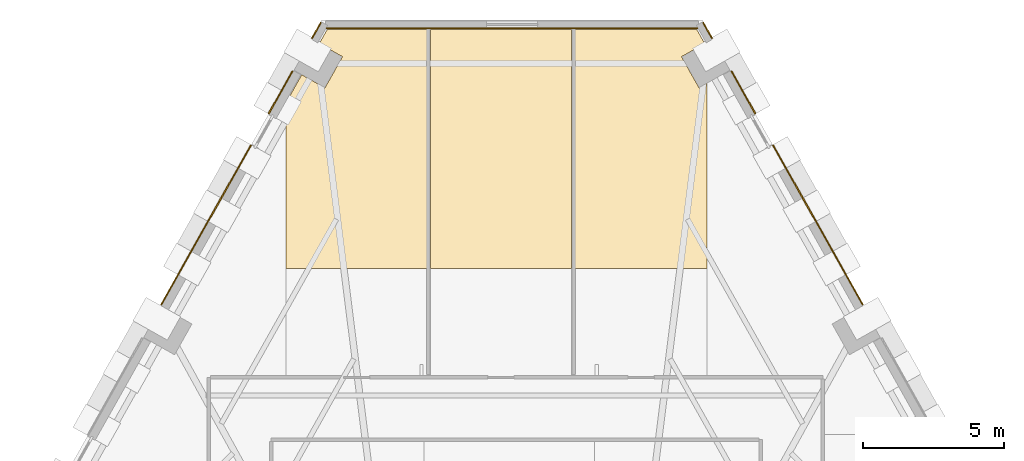
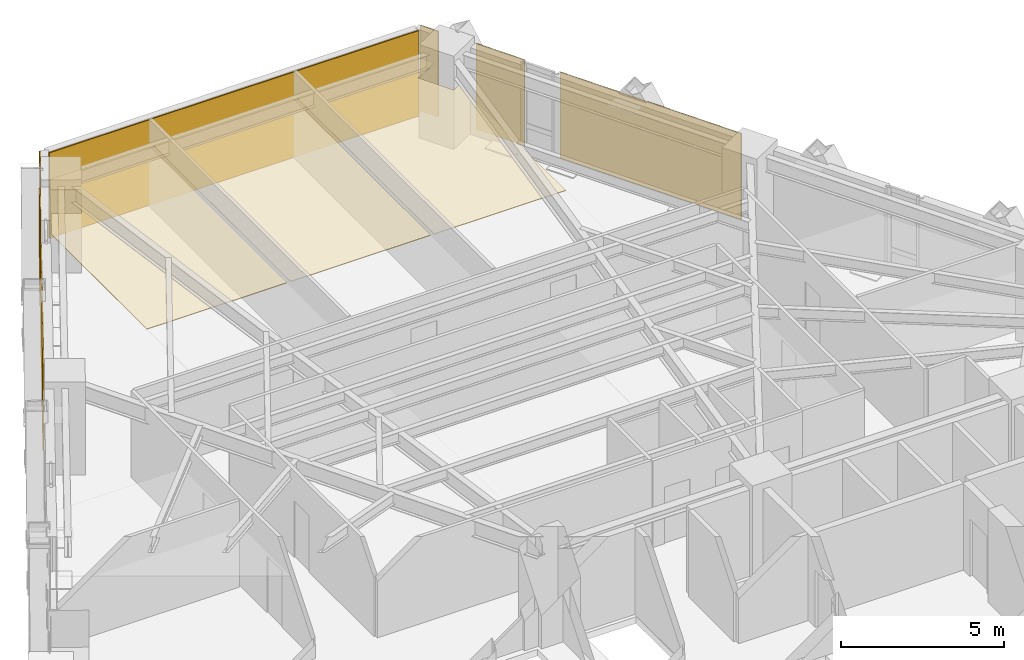
# One storey, part 13 of 13: 10 coverings.
"""IFC4 building model written with IfcOpenShell, lengths in metres."""

from ifc_helpers import new_model, si_unit, direction, frame, origin, place, context, subcontext, project, spatial, polyline, outline, extrude, material, layer, layer_set, type_object, element, save


model = new_model("IFC4")

# Units and contexts
model_context = context("Model", 3, precision=1e-05, world=origin(), true_north=direction((0.0, 1.0)))
body_context = subcontext(model_context, "Body", "Model", "MODEL_VIEW")
ifc_project = project(units=[si_unit("LENGTHUNIT", "METRE"), si_unit("AREAUNIT", "SQUARE_METRE"), si_unit("VOLUMEUNIT", "CUBIC_METRE"), si_unit("PLANEANGLEUNIT", "RADIAN"), si_unit("MASSUNIT", "GRAM", prefix="KILO")], contexts=[model_context])

# Site, building, storey
site_placement = place(None, origin())
site = spatial("IfcSite", under=ifc_project, at=site_placement, CompositionType="ELEMENT")
building_placement = place(site_placement, origin())
building = spatial("IfcBuilding", under=site, at=building_placement, Name="Quenlor Broadcast Tower", CompositionType="ELEMENT")
storey_placement = place(building_placement, frame((0.0, 0.0, 55.60009765625)))
storey = spatial("IfcBuildingStorey", under=building, at=storey_placement, Name="L14", CompositionType="ELEMENT", Elevation=55.60009765625)

# Coverings
ifc_material_1 = material(Name="Acoustic Mineral Fibre Board", Category="other")
ifc_layer_1 = layer(ifc_material_1, 0.02490234375)
ifc_layer_set_1 = layer_set([ifc_layer_1], Name="Acoustic Perforated Mineral Tile Ceiling 25")
covering_type_1 = type_object("IfcCoveringType", Name="Acoustic Perforated Mineral Tile Ceiling 25", PredefinedType="CEILING", material=ifc_layer_set_1)
covering_1_placement = place(storey_placement, frame((0.0, 0.0, 2.224853515625)))
element("IfcCovering", 1, at=covering_1_placement, inside=storey, type_object=covering_type_1, Name="L14 Acoustic Ceiling L14-30-2", PredefinedType="CEILING", context=body_context, shape_type="SweptSolid", body=[
    extrude(outline(polyline([(2.10009765625, 12.64990234375), (-2.8798828125, 12.64990234375), (-2.8798828125, 21.092041015625), (2.10009765625, 21.092041015625), (2.10009765625, 12.64990234375)])), origin(), (0.0, 0.0, 1.0), 0.025146484375),
])
covering_2_placement = place(storey_placement, frame((0.0, 0.0, 2.224853515625)))
element("IfcCovering", 2, at=covering_2_placement, inside=storey, type_object=covering_type_1, Name="L14 Acoustic Ceiling L14-31-2", PredefinedType="CEILING", context=body_context, shape_type="SweptSolid", body=[
    extrude(outline(polyline([(6.609619140625, 19.03271484375), (6.89990234375, 19.196044921875), (6.89990234375, 12.64990234375), (2.219970703125, 12.64990234375), (2.219970703125, 21.092041015625), (6.533203125, 21.092041015625), (6.810791015625, 20.598388671875), (5.989013671875, 20.135986328125), (6.609619140625, 19.03271484375)])), origin(), (0.0, 0.0, 1.0), 0.025146484375),
])
covering_3_placement = place(storey_placement, frame((0.0, 0.0, 2.224853515625)))
element("IfcCovering", 3, at=covering_3_placement, inside=storey, type_object=covering_type_1, Name="L14 Acoustic Ceiling L14-32-2", PredefinedType="CEILING", context=body_context, shape_type="SweptSolid", body=[
    extrude(outline(polyline([(-7.97998046875, 18.519775390625), (-7.431396484375, 19.4951171875), (-6.609619140625, 19.03271484375), (-5.989013671875, 20.135986328125), (-6.810791015625, 20.598388671875), (-6.533203125, 21.092041015625), (-3.0, 21.092041015625), (-3.0, 12.64990234375), (-7.97998046875, 12.64990234375), (-7.97998046875, 18.519775390625)])), origin(), (0.0, 0.0, 1.0), 0.025146484375),
])
ifc_material_2 = material(Name="Architectural Terracotta Ceramic", Category="masonry")
ifc_layer_2 = layer(ifc_material_2, 0.044921875)
ifc_layer_set_2 = layer_set([ifc_layer_2], Name="Fluted Terracotta Rainscreen Cladding Panel")
covering_type_2 = type_object("IfcCoveringType", Name="Fluted Terracotta Rainscreen Cladding Panel", PredefinedType="CLADDING", material=ifc_layer_set_2)
covering_4_placement = place(storey_placement, frame((0.0, 0.0, 0.02001953125)))
element("IfcCovering", 4, at=covering_4_placement, inside=storey, type_object=covering_type_2, Name="L14 Terracotta Rainscreen Cladding L14-SHD-NES0", PredefinedType="CLADDING", context=body_context, shape_type="SweptSolid", body=[
    extrude(outline(polyline([(6.734130859375, 21.330078125), (7.052001953125, 20.76513671875), (7.09130859375, 20.787109375), (6.7734375, 21.35205078125), (6.734130859375, 21.330078125)])), origin(), (0.0, 0.0, 1.0), 3.2099609375),
])
covering_5_placement = place(storey_placement, frame((0.0, 0.0, 0.02001953125)))
element("IfcCovering", 5, at=covering_5_placement, inside=storey, type_object=covering_type_2, Name="L14 Terracotta Rainscreen Cladding L14-NEA-SP1", PredefinedType="CLADDING", context=body_context, shape_type="SweptSolid", body=[
    extrude(outline(polyline([(7.735107421875, 19.612060546875), (8.580078125, 18.10986328125), (8.619384765625, 18.1318359375), (7.7744140625, 19.634033203125), (7.735107421875, 19.612060546875)])), origin(), (0.0, 0.0, 1.0), 3.2099609375),
])
covering_6_placement = place(storey_placement, frame((0.0, 0.0, 0.02001953125)))
element("IfcCovering", 6, at=covering_6_placement, inside=storey, type_object=covering_type_2, Name="L14 Terracotta Rainscreen Cladding L14-NEA-SP2", PredefinedType="CLADDING", context=body_context, shape_type="SweptSolid", body=[
    extrude(outline(polyline([(9.201416015625, 17.005126953125), (12.380615234375, 11.353515625), (12.419677734375, 11.37548828125), (9.240478515625, 17.027099609375), (9.201416015625, 17.005126953125)])), origin(), (0.0, 0.0, 1.0), 3.2099609375),
])
covering_7_placement = place(storey_placement, frame((0.0, 0.0, 0.02001953125)))
element("IfcCovering", 7, at=covering_7_placement, inside=storey, type_object=covering_type_2, Name="L14 Terracotta Rainscreen Cladding L14-SHD-NWS1", PredefinedType="CLADDING", context=body_context, shape_type="SweptSolid", body=[
    extrude(outline(polyline([(-7.052001953125, 20.76513671875), (-6.734130859375, 21.330078125), (-6.7734375, 21.35205078125), (-7.09130859375, 20.787109375), (-7.052001953125, 20.76513671875)])), origin(), (0.0, 0.0, 1.0), 3.2099609375),
])
covering_8_placement = place(storey_placement, frame((0.0, 0.0, 0.02001953125)))
element("IfcCovering", 8, at=covering_8_placement, inside=storey, type_object=covering_type_2, Name="L14 Terracotta Rainscreen Cladding L14-NWC-SP1", PredefinedType="CLADDING", context=body_context, shape_type="SweptSolid", body=[
    extrude(outline(polyline([(-12.380615234375, 11.353515625), (-9.201416015625, 17.005126953125), (-9.240478515625, 17.027099609375), (-12.419677734375, 11.37548828125), (-12.380615234375, 11.353515625)])), origin(), (0.0, 0.0, 1.0), 3.2099609375),
])
covering_9_placement = place(storey_placement, frame((0.0, 0.0, 0.02001953125)))
element("IfcCovering", 9, at=covering_9_placement, inside=storey, type_object=covering_type_2, Name="L14 Terracotta Rainscreen Cladding L14-NWC-SP2", PredefinedType="CLADDING", context=body_context, shape_type="SweptSolid", body=[
    extrude(outline(polyline([(-8.580078125, 18.10986328125), (-7.735107421875, 19.612060546875), (-7.7744140625, 19.634033203125), (-8.619384765625, 18.1318359375), (-8.580078125, 18.10986328125)])), origin(), (0.0, 0.0, 1.0), 3.2099609375),
])
covering_10_placement = place(storey_placement, frame((0.0, 0.0, 0.02001953125)))
element("IfcCovering", 10, at=covering_10_placement, inside=storey, type_object=covering_type_2, Name="L14 Terracotta Rainscreen Cladding L14-CNR-02", PredefinedType="CLADDING", context=body_context, shape_type="SweptSolid", body=[
    extrude(outline(polyline([(6.568359375, 21.159912109375), (-6.558349609375, 21.159912109375), (-6.558349609375, 21.114990234375), (6.568359375, 21.114990234375), (6.568359375, 21.159912109375)])), origin(), (0.0, 0.0, 1.0), 3.2099609375),
])

save(model, "model.ifc")
